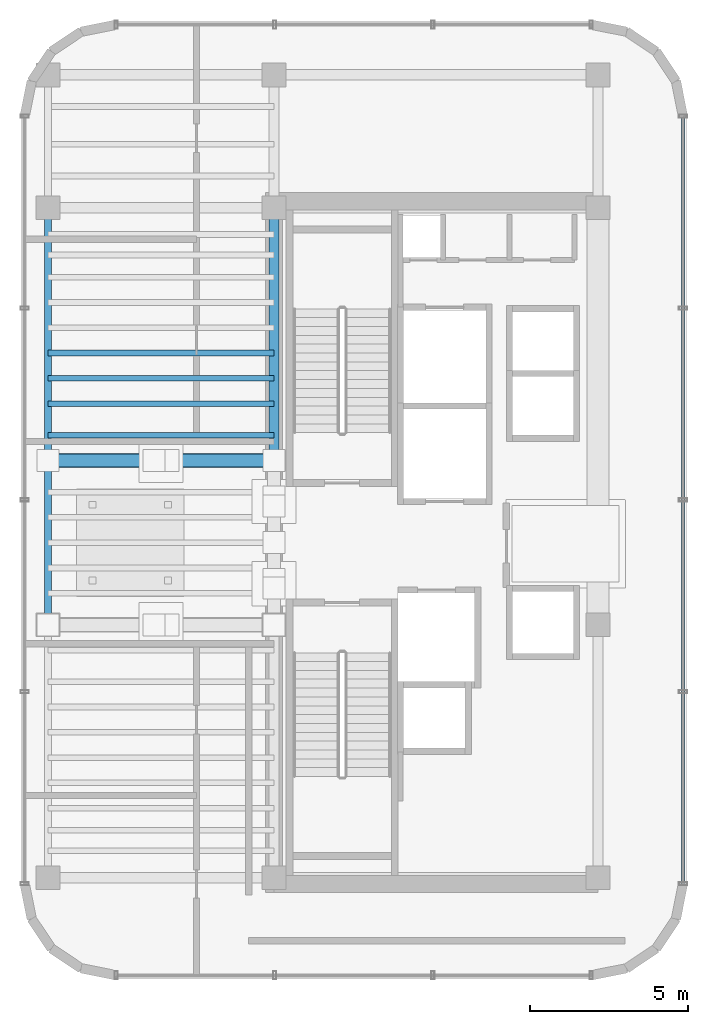
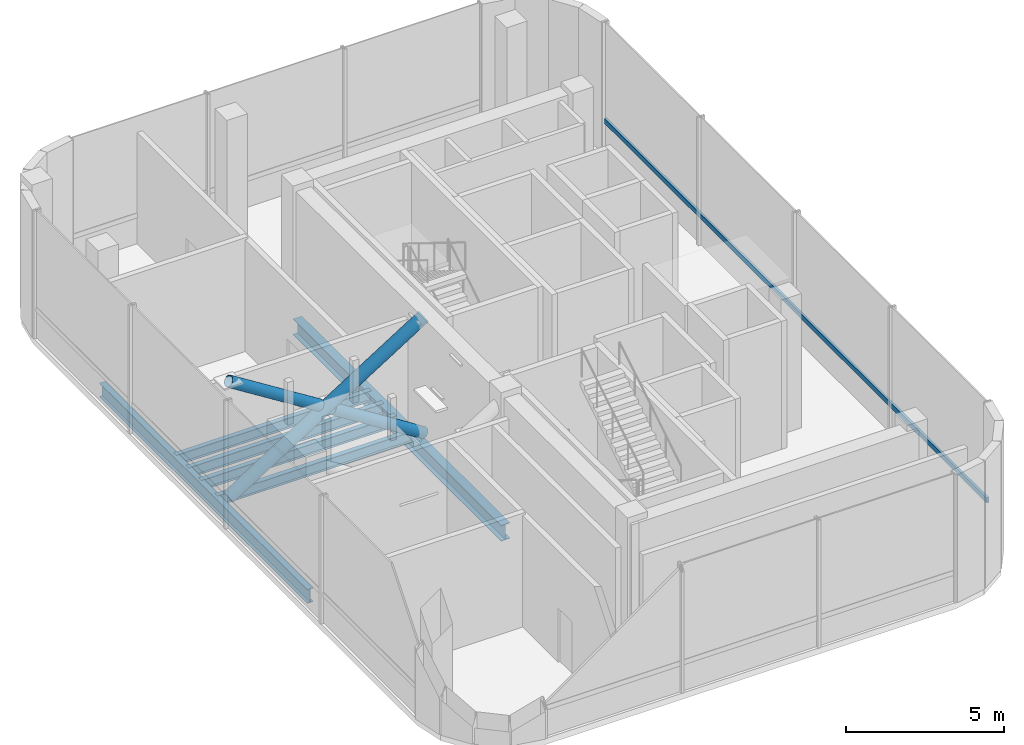
# One storey, part 6 of 13: 6 beams, 4 members, 1 element without a shape of its own.
"""IFC4 building model written with IfcOpenShell, lengths in metres."""

from ifc_helpers import new_model, si_unit, direction, frame, origin, origin_2d, place, context, subcontext, project, spatial, hollow_rectangle, hollow_circle, i_section, extrude, source, transform, mapped, material, material_profile, profile_set, type_object, element, aggregate, save


model = new_model("IFC4")

# Units and contexts
model_context = context("Model", 3, precision=1e-05, world=origin(), true_north=direction((0.0, 1.0)))
body_context = subcontext(model_context, "Body", "Model", "MODEL_VIEW")
ifc_project = project(units=[si_unit("LENGTHUNIT", "METRE"), si_unit("AREAUNIT", "SQUARE_METRE"), si_unit("VOLUMEUNIT", "CUBIC_METRE"), si_unit("PLANEANGLEUNIT", "RADIAN"), si_unit("MASSUNIT", "GRAM", prefix="KILO")], contexts=[model_context])

# Site, building, storey
site_placement = place(None, origin())
site = spatial("IfcSite", under=ifc_project, at=site_placement, CompositionType="ELEMENT")
building_placement = place(site_placement, origin())
building = spatial("IfcBuilding", under=site, at=building_placement, Name="Valdorenza Pilgrim Sanctuary Tower", CompositionType="ELEMENT")
storey_placement = place(building_placement, frame((0.0, 0.0, 294.199951171875)))
storey = spatial("IfcBuildingStorey", under=building, at=storey_placement, Name="L77", CompositionType="ELEMENT", Elevation=294.199951171875)

# Beams
ifc_material_1 = material(Name="Steel ASTM A992 Grade 50", Category="steel")
ifc_material_profile_1 = material_profile(ifc_material_1, i_section(OverallWidth=0.323974609375, OverallDepth=0.611083984375, WebThickness=0.0126953125, FlangeThickness=0.01904296875, at=origin_2d()), Name="W24X104")
ifc_profile_set_1 = profile_set([ifc_material_profile_1], Name="Steel ASTM A992 Grade 50")
beam_type_1 = type_object("IfcBeamType", Name="STR-BM-GRD-W24B", PredefinedType="BEAM", material=ifc_profile_set_1)
shared_shape_1 = source(origin(), body_context, "Body", "SweptSolid", [
    extrude(i_section(OverallWidth=0.323974609375, OverallDepth=0.611083984375, WebThickness=0.0126953125, FlangeThickness=0.01904296875, at=origin_2d()), origin(), (0.0, 0.0, 1.0), 13.2001953125),
])
beam_1_placement = place(storey_placement, frame((-22.64990234375, -2.60009765625, -0.54541015625), z_axis=(0.0, 1.0, 0.0), x_axis=(-1.0, 0.0, 0.0)))
element("IfcBeam", 1, at=beam_1_placement, inside=storey, type_object=beam_type_1, Name="L77 Core Tie Girder CA-W-M0N1", PredefinedType="BEAM", context=body_context, shape_type="MappedRepresentation", body=[
    mapped(shared_shape_1, transform((0.0, 0.0, 0.0), x_axis=(1.0, 0.0, 0.0), y_axis=(0.0, 1.0, 0.0), z_axis=(0.0, 0.0, 1.0), scale=1.0)),
])
ifc_material_profile_2 = material_profile(ifc_material_1, i_section(OverallWidth=0.2109375, OverallDepth=0.5390625, WebThickness=0.01171875, FlangeThickness=0.018798828125, at=origin_2d()), Name="W21X73")
ifc_profile_set_2 = profile_set([ifc_material_profile_2], Name="Steel ASTM A992 Grade 50")
beam_type_2 = type_object("IfcBeamType", Name="STR-BM-SPN-W21B", PredefinedType="SPANDREL", material=ifc_profile_set_2)
shared_shape_2 = source(origin(), body_context, "Body", "SweptSolid", [
    extrude(i_section(OverallWidth=0.2109375, OverallDepth=0.5390625, WebThickness=0.01171875, FlangeThickness=0.018798828125, at=origin_2d()), origin(), (0.0, 0.0, 1.0), 13.2001953125),
])
beam_2_placement = place(storey_placement, frame((-29.800048828125, -2.60009765625, -0.509521484375), z_axis=(0.0, 1.0, 0.0), x_axis=(-1.0, 0.0, 0.0)))
element("IfcBeam", 2, at=beam_2_placement, inside=storey, type_object=beam_type_2, Name="L77 Spandrel Beam WA-W-M0N1", PredefinedType="SPANDREL", context=body_context, shape_type="MappedRepresentation", body=[
    mapped(shared_shape_2, transform((0.0, 0.0, 0.0), x_axis=(1.0, 0.0, 0.0), y_axis=(0.0, 1.0, 0.0), z_axis=(0.0, 0.0, 1.0), scale=1.0)),
])
ifc_material_profile_3 = material_profile(ifc_material_1, i_section(OverallWidth=0.177978515625, OverallDepth=0.406005859375, WebThickness=0.0078125, FlangeThickness=0.0126953125, at=origin_2d()), Name="W16X40")
ifc_profile_set_3 = profile_set([ifc_material_profile_3], Name="Steel ASTM A992 Grade 50")
beam_type_3 = type_object("IfcBeamType", Name="STR-BM-JST-W16", PredefinedType="JOIST", material=ifc_profile_set_3)
shared_shape_3 = source(origin(), body_context, "Body", "SweptSolid", [
    extrude(i_section(OverallWidth=0.177978515625, OverallDepth=0.406005859375, WebThickness=0.0078125, FlangeThickness=0.0126953125, at=origin_2d()), origin(), (0.0, 0.0, 1.0), 7.150146484375),
])
for number, where, z_axis, x_axis, name in (
    (3, (-29.800048828125, 3.39990234375, -0.44287109375), (1.0, 0.0, 0.0), (0.0, 1.0, 0.0), "L77 Composite Floor Joist JST-WA-15"),
    (4, (-29.800048828125, 4.39990234375, -0.44287109375), (1.0, 0.0, 0.0), (0.0, 1.0, 0.0), "L77 Composite Floor Joist JST-WA-16"),
    (5, (-29.800048828125, 5.199951171875, -0.44287109375), (1.0, 0.0, 0.0), (0.0, 1.0, 0.0), "L77 Composite Floor Joist JST-WA-17"),
    (6, (-29.800048828125, 6.0, -0.44287109375), (1.0, 0.0, 0.0), (0.0, 1.0, 0.0), "L77 Composite Floor Joist JST-WA-18"),
):
    element("IfcBeam", number, at=place(storey_placement, frame(where, z_axis=z_axis, x_axis=x_axis)), inside=storey, type_object=beam_type_3, Name=name, PredefinedType="JOIST", context=body_context, shape_type="MappedRepresentation", body=[
        mapped(shared_shape_3, transform((0.0, 0.0, 0.0), x_axis=(1.0, 0.0, 0.0), y_axis=(0.0, 1.0, 0.0), z_axis=(0.0, 0.0, 1.0), scale=1.0)),
    ])

# Members
ifc_material_2 = material(Name="Steel S355J2", Category="steel")
ifc_material_profile_4 = material_profile(ifc_material_2, hollow_circle(Radius=0.228515625, WallThickness=0.01611328125, at=origin_2d()), Name="CHS 457x16")
ifc_profile_set_4 = profile_set([ifc_material_profile_4], Name="Steel S355J2")
member_type_1 = type_object("IfcMemberType", Name="STR-MB-CHS-457", PredefinedType="MEMBER", material=ifc_profile_set_4)
shared_shape_4 = source(origin(), body_context, "Body", "SweptSolid", [
    extrude(hollow_circle(Radius=0.228515625, WallThickness=0.01611328125, at=origin_2d()), origin(), (0.0, 0.0, 1.0), 8.4482421875),
])
member_1_placement = place(storey_placement, frame((-29.800048828125, 2.60009765625, 0.150146484375), z_axis=(0.846336578757, 0.0, 0.532648472689), x_axis=(0.0, 1.0, 0.0)))
element("IfcMember", 7, at=member_1_placement, inside=storey, type_object=member_type_1, Name="Tuned Mass Damper TMD-1 Cradle Brace 2", PredefinedType="MEMBER", context=body_context, shape_type="MappedRepresentation", body=[
    mapped(shared_shape_4, transform((0.0, 0.0, 0.0), x_axis=(1.0, 0.0, 0.0), y_axis=(0.0, 1.0, 0.0), z_axis=(0.0, 0.0, 1.0), scale=1.0)),
])
ifc_material_profile_5 = material_profile(ifc_material_2, hollow_circle(Radius=0.203125, WallThickness=0.01611328125, at=origin_2d()), Name="CHS 406.4x16")
ifc_profile_set_5 = profile_set([ifc_material_profile_5], Name="Steel S355J2")
member_type_2 = type_object("IfcMemberType", Name="STR-MB-CHS-406", PredefinedType="STRUT", material=ifc_profile_set_5)
shared_shape_5 = source(origin(), body_context, "Body", "SweptSolid", [
    extrude(hollow_circle(Radius=0.203125, WallThickness=0.01611328125, at=origin_2d()), origin(), (0.0, 0.0, 1.0), 3.958740234375),
])
for number, where, z_axis, x_axis, name in (
    (8, (-22.64990234375, 2.60009765625, 0.150146484375), (-0.846372873095, 0.0, 0.532590799479), (0.0, -1.0, 0.0), "Tuned Mass Damper TMD-1 Damping Strut 2 Lower Segment"),
    (9, (-26.44970703125, 2.60009765625, 2.54150390625), (-0.846327576531, 0.0, 0.532662776251), (0.0, -1.0, 0.0), "Tuned Mass Damper TMD-1 Damping Strut 2 Upper Segment"),
):
    element("IfcMember", number, at=place(storey_placement, frame(where, z_axis=z_axis, x_axis=x_axis)), inside=storey, type_object=member_type_2, Name=name, PredefinedType="STRUT", context=body_context, shape_type="MappedRepresentation", body=[
        mapped(shared_shape_5, transform((0.0, 0.0, 0.0), x_axis=(1.0, 0.0, 0.0), y_axis=(0.0, 1.0, 0.0), z_axis=(0.0, 0.0, 1.0), scale=1.0)),
    ])

# Curtain wall, member
ifc_material_3 = material(Name="Curtain-wall IGU glazing", Category="glass")
curtain_wall_type = type_object("IfcCurtainWallType", Name="CW-SYS-06", PredefinedType="NOTDEFINED", material=ifc_material_3)
curtain_wall_placement = place(storey_placement, origin())
curtain_wall = element("IfcCurtainWall", 10, at=curtain_wall_placement, inside=storey, type_object=curtain_wall_type, Name="L77 Curtain Wall CW-L77-1-11", PredefinedType="NOTDEFINED")
ifc_material_4 = material(Name="Anodised aluminium AW-6060", Category="aluminium")
ifc_material_profile_6 = material_profile(ifc_material_4, hollow_rectangle(XDim=0.090087890625, YDim=0.18994140625, WallThickness=0.00439453125, at=origin_2d()), Name="ALU-T 190x90x4.5")
ifc_profile_set_6 = profile_set([ifc_material_profile_6], Name="Anodised aluminium AW-6060")
member_type_3 = type_object("IfcMemberType", Name="CW-TRN-06", PredefinedType="USERDEFINED", material=ifc_profile_set_6)
shared_shape_6 = source(origin(), body_context, "Body", "SweptSolid", [
    extrude(hollow_rectangle(XDim=0.090087890625, YDim=0.18994140625, WallThickness=0.00439453125, at=origin_2d()), origin(), (0.0, 0.0, 1.0), 24.278564453125),
])
member_2_placement = place(storey_placement, frame((-9.7099609375, 13.4892578125, 1.1201171875), z_axis=(0.0, -1.0, 0.0), x_axis=(1.0, 0.0, 0.0)))
member_2 = element("IfcMember", 11, at=member_2_placement, type_object=member_type_3, Name="CW-L77-1-11 Transom 1", ObjectType="TRANSOM", PredefinedType="USERDEFINED", context=body_context, shape_type="MappedRepresentation", body=[
    mapped(shared_shape_6, transform((0.0, 0.0, 0.0), x_axis=(1.0, 0.0, 0.0), y_axis=(0.0, 1.0, 0.0), z_axis=(0.0, 0.0, 1.0), scale=1.0)),
])
aggregate(curtain_wall, [member_2])

save(model, "model.ifc")
